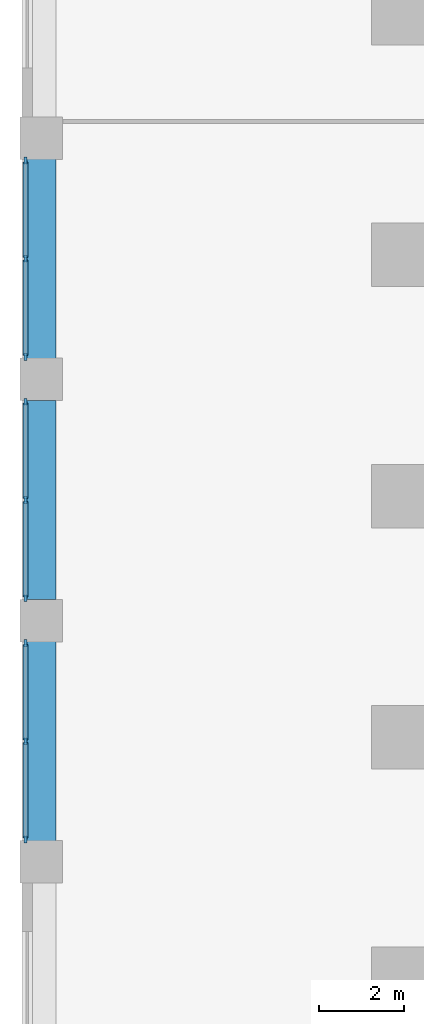
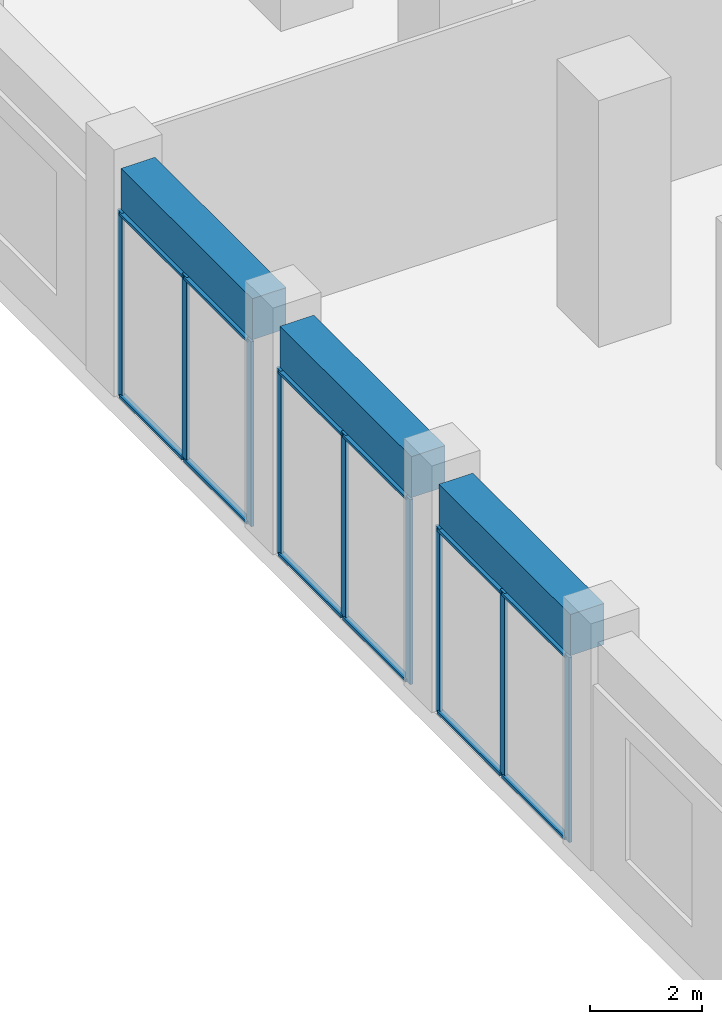
# One storey, part 6 of 23: 21 members, 3 beams, 3 elements without a shape of their own.
"""IFC4 building model written with IfcOpenShell, lengths in metres."""

from ifc_helpers import new_model, si_unit, direction, frame, origin, origin_2d, place, context, subcontext, project, spatial, rectangle, extrude, material, material_profile, profile_set, type_object, element, aggregate, save


model = new_model("IFC4")

# Units and contexts
model_context = context("Model", 3, precision=1e-05, world=origin(), true_north=direction((0.0, 1.0)))
body_context = subcontext(model_context, "Body", "Model", "MODEL_VIEW")
ifc_project = project(units=[si_unit("LENGTHUNIT", "METRE"), si_unit("AREAUNIT", "SQUARE_METRE"), si_unit("VOLUMEUNIT", "CUBIC_METRE"), si_unit("PLANEANGLEUNIT", "RADIAN"), si_unit("MASSUNIT", "GRAM", prefix="KILO")], contexts=[model_context])

# Site, building, storey
site_placement = place(None, origin())
site = spatial("IfcSite", under=ifc_project, at=site_placement, CompositionType="ELEMENT")
building_placement = place(site_placement, origin())
building = spatial("IfcBuilding", under=site, at=building_placement, Name="Meshkara Civic Tower", CompositionType="ELEMENT")
storey_placement = place(building_placement, frame((0.0, 0.0, 7.199951171875)))
storey = spatial("IfcBuildingStorey", under=building, at=storey_placement, Name="L01", CompositionType="ELEMENT", Elevation=7.199951171875)

# Curtain wall, members
ifc_material_1 = material(Name="Tinted double glazing", Category="glass")
curtain_wall_type = type_object("IfcCurtainWallType", Name="CW POOL PAVILION AND FOYER", PredefinedType="NOTDEFINED", material=ifc_material_1)
curtain_wall_1_placement = place(storey_placement, origin())
curtain_wall_1 = element("IfcCurtainWall", 1, at=curtain_wall_1_placement, inside=storey, type_object=curtain_wall_type, Name="Curtain wall CW4", PredefinedType="NOTDEFINED")
ifc_material_2 = material(Name="Bronze anodised aluminium", Category="aluminium")
ifc_material_profile_1 = material_profile(ifc_material_2, rectangle(XDim=0.06005859375, YDim=0.159912109375, at=origin_2d()))
ifc_profile_set_1 = profile_set([ifc_material_profile_1], Name="Bronze anodised aluminium")
member_type_1 = type_object("IfcMemberType", Name="CW MULLION 60x160", PredefinedType="MULLION", material=ifc_profile_set_1)
member_1_placement = place(storey_placement, frame((-8.469970703125, 65.0810546875, 0.0), z_axis=(0.0, 0.0, 1.0), x_axis=(1.0, 0.0, 0.0)))
member_1 = element("IfcMember", 2, at=member_1_placement, type_object=member_type_1, Name="CW4 mullion 1", PredefinedType="MULLION", context=body_context, shape_type="SweptSolid", body=[
    extrude(rectangle(XDim=0.06005859375, YDim=0.159912109375, at=origin_2d()), origin(), (0.0, 0.0, 1.0), 4.050048828125),
])
member_2_placement = place(storey_placement, frame((-8.469970703125, 62.760986328125, 0.0), z_axis=(0.0, 0.0, 1.0), x_axis=(1.0, 0.0, 0.0)))
member_2 = element("IfcMember", 3, at=member_2_placement, type_object=member_type_1, Name="CW4 mullion 2", PredefinedType="MULLION", context=body_context, shape_type="SweptSolid", body=[
    extrude(rectangle(XDim=0.06005859375, YDim=0.159912109375, at=origin_2d()), origin(), (0.0, 0.0, 1.0), 4.050048828125),
])
member_3_placement = place(storey_placement, frame((-8.469970703125, 60.44091796875, 0.0), z_axis=(0.0, 0.0, 1.0), x_axis=(1.0, 0.0, 0.0)))
member_3 = element("IfcMember", 4, at=member_3_placement, type_object=member_type_1, Name="CW4 mullion 3", PredefinedType="MULLION", context=body_context, shape_type="SweptSolid", body=[
    extrude(rectangle(XDim=0.06005859375, YDim=0.159912109375, at=origin_2d()), origin(), (0.0, 0.0, 1.0), 4.050048828125),
])

curtain_wall_2_placement = place(storey_placement, origin())
curtain_wall_2 = element("IfcCurtainWall", 5, at=curtain_wall_2_placement, inside=storey, type_object=curtain_wall_type, Name="Curtain wall CW4", PredefinedType="NOTDEFINED")
member_4_placement = place(storey_placement, frame((-8.469970703125, 59.381103515625, 0.0), z_axis=(0.0, 0.0, 1.0), x_axis=(1.0, 0.0, 0.0)))
member_4 = element("IfcMember", 6, at=member_4_placement, type_object=member_type_1, Name="CW4 mullion 1", PredefinedType="MULLION", context=body_context, shape_type="SweptSolid", body=[
    extrude(rectangle(XDim=0.06005859375, YDim=0.159912109375, at=origin_2d()), origin(), (0.0, 0.0, 1.0), 4.050048828125),
])
member_5_placement = place(storey_placement, frame((-8.469970703125, 57.06103515625, 0.0), z_axis=(0.0, 0.0, 1.0), x_axis=(1.0, 0.0, 0.0)))
member_5 = element("IfcMember", 7, at=member_5_placement, type_object=member_type_1, Name="CW4 mullion 2", PredefinedType="MULLION", context=body_context, shape_type="SweptSolid", body=[
    extrude(rectangle(XDim=0.06005859375, YDim=0.159912109375, at=origin_2d()), origin(), (0.0, 0.0, 1.0), 4.050048828125),
])
member_6_placement = place(storey_placement, frame((-8.469970703125, 54.740966796875, 0.0), z_axis=(0.0, 0.0, 1.0), x_axis=(1.0, 0.0, 0.0)))
member_6 = element("IfcMember", 8, at=member_6_placement, type_object=member_type_1, Name="CW4 mullion 3", PredefinedType="MULLION", context=body_context, shape_type="SweptSolid", body=[
    extrude(rectangle(XDim=0.06005859375, YDim=0.159912109375, at=origin_2d()), origin(), (0.0, 0.0, 1.0), 4.050048828125),
])

curtain_wall_3_placement = place(storey_placement, origin())
curtain_wall_3 = element("IfcCurtainWall", 9, at=curtain_wall_3_placement, inside=storey, type_object=curtain_wall_type, Name="Curtain wall CW4", PredefinedType="NOTDEFINED")
member_7_placement = place(storey_placement, frame((-8.469970703125, 53.680908203125, 0.0), z_axis=(0.0, 0.0, 1.0), x_axis=(1.0, 0.0, 0.0)))
member_7 = element("IfcMember", 10, at=member_7_placement, type_object=member_type_1, Name="CW4 mullion 1", PredefinedType="MULLION", context=body_context, shape_type="SweptSolid", body=[
    extrude(rectangle(XDim=0.06005859375, YDim=0.159912109375, at=origin_2d()), origin(), (0.0, 0.0, 1.0), 4.050048828125),
])
member_8_placement = place(storey_placement, frame((-8.469970703125, 51.361083984375, 0.0), z_axis=(0.0, 0.0, 1.0), x_axis=(1.0, 0.0, 0.0)))
member_8 = element("IfcMember", 11, at=member_8_placement, type_object=member_type_1, Name="CW4 mullion 2", PredefinedType="MULLION", context=body_context, shape_type="SweptSolid", body=[
    extrude(rectangle(XDim=0.06005859375, YDim=0.159912109375, at=origin_2d()), origin(), (0.0, 0.0, 1.0), 4.050048828125),
])
member_9_placement = place(storey_placement, frame((-8.469970703125, 49.041015625, 0.0), z_axis=(0.0, 0.0, 1.0), x_axis=(1.0, 0.0, 0.0)))
member_9 = element("IfcMember", 12, at=member_9_placement, type_object=member_type_1, Name="CW4 mullion 3", PredefinedType="MULLION", context=body_context, shape_type="SweptSolid", body=[
    extrude(rectangle(XDim=0.06005859375, YDim=0.159912109375, at=origin_2d()), origin(), (0.0, 0.0, 1.0), 4.050048828125),
])

# Member
ifc_material_3 = material(Name="Bronze anodised aluminium", Category="aluminium")
ifc_material_profile_2 = material_profile(ifc_material_3, rectangle(XDim=0.1201171875, YDim=0.06005859375, at=origin_2d()))
ifc_profile_set_2 = profile_set([ifc_material_profile_2], Name="Bronze anodised aluminium")
member_type_2 = type_object("IfcMemberType", Name="CW TRANSOM 60x120", PredefinedType="USERDEFINED", material=ifc_profile_set_2)
member_10_placement = place(storey_placement, frame((-8.469970703125, 65.051025390625, 0.030029296875), z_axis=(0.0, -1.0, 0.0), x_axis=(1.0, 0.0, 0.0)))
member_10 = element("IfcMember", 13, at=member_10_placement, type_object=member_type_2, Name="CW4 transom 1.1", ObjectType="TRANSOM", PredefinedType="USERDEFINED", context=body_context, shape_type="SweptSolid", body=[
    extrude(rectangle(XDim=0.1201171875, YDim=0.06005859375, at=origin_2d()), origin(), (0.0, 0.0, 1.0), 2.260009765625),
])

member_11_placement = place(storey_placement, frame((-8.469970703125, 65.051025390625, 4.02001953125), z_axis=(0.0, -1.0, 0.0), x_axis=(1.0, 0.0, 0.0)))
member_11 = element("IfcMember", 14, at=member_11_placement, type_object=member_type_2, Name="CW4 transom 1.2", ObjectType="TRANSOM", PredefinedType="USERDEFINED", context=body_context, shape_type="SweptSolid", body=[
    extrude(rectangle(XDim=0.1201171875, YDim=0.06005859375, at=origin_2d()), origin(), (0.0, 0.0, 1.0), 2.260009765625),
])

member_12_placement = place(storey_placement, frame((-8.469970703125, 62.73095703125, 0.030029296875), z_axis=(0.0, -1.0, 0.0), x_axis=(1.0, 0.0, 0.0)))
member_12 = element("IfcMember", 15, at=member_12_placement, type_object=member_type_2, Name="CW4 transom 2.1", ObjectType="TRANSOM", PredefinedType="USERDEFINED", context=body_context, shape_type="SweptSolid", body=[
    extrude(rectangle(XDim=0.1201171875, YDim=0.06005859375, at=origin_2d()), origin(), (0.0, 0.0, 1.0), 2.260009765625),
])

member_13_placement = place(storey_placement, frame((-8.469970703125, 62.73095703125, 4.02001953125), z_axis=(0.0, -1.0, 0.0), x_axis=(1.0, 0.0, 0.0)))
member_13 = element("IfcMember", 16, at=member_13_placement, type_object=member_type_2, Name="CW4 transom 2.2", ObjectType="TRANSOM", PredefinedType="USERDEFINED", context=body_context, shape_type="SweptSolid", body=[
    extrude(rectangle(XDim=0.1201171875, YDim=0.06005859375, at=origin_2d()), origin(), (0.0, 0.0, 1.0), 2.260009765625),
])

aggregate(curtain_wall_1, [member_1, member_2, member_3, member_10, member_11, member_12, member_13])

member_14_placement = place(storey_placement, frame((-8.469970703125, 59.35107421875, 0.030029296875), z_axis=(0.0, -1.0, 0.0), x_axis=(1.0, 0.0, 0.0)))
member_14 = element("IfcMember", 17, at=member_14_placement, type_object=member_type_2, Name="CW4 transom 1.1", ObjectType="TRANSOM", PredefinedType="USERDEFINED", context=body_context, shape_type="SweptSolid", body=[
    extrude(rectangle(XDim=0.1201171875, YDim=0.06005859375, at=origin_2d()), origin(), (0.0, 0.0, 1.0), 2.260009765625),
])

member_15_placement = place(storey_placement, frame((-8.469970703125, 59.35107421875, 4.02001953125), z_axis=(0.0, -1.0, 0.0), x_axis=(1.0, 0.0, 0.0)))
member_15 = element("IfcMember", 18, at=member_15_placement, type_object=member_type_2, Name="CW4 transom 1.2", ObjectType="TRANSOM", PredefinedType="USERDEFINED", context=body_context, shape_type="SweptSolid", body=[
    extrude(rectangle(XDim=0.1201171875, YDim=0.06005859375, at=origin_2d()), origin(), (0.0, 0.0, 1.0), 2.260009765625),
])

member_16_placement = place(storey_placement, frame((-8.469970703125, 57.031005859375, 0.030029296875), z_axis=(0.0, -1.0, 0.0), x_axis=(1.0, 0.0, 0.0)))
member_16 = element("IfcMember", 19, at=member_16_placement, type_object=member_type_2, Name="CW4 transom 2.1", ObjectType="TRANSOM", PredefinedType="USERDEFINED", context=body_context, shape_type="SweptSolid", body=[
    extrude(rectangle(XDim=0.1201171875, YDim=0.06005859375, at=origin_2d()), origin(), (0.0, 0.0, 1.0), 2.260009765625),
])

member_17_placement = place(storey_placement, frame((-8.469970703125, 57.031005859375, 4.02001953125), z_axis=(0.0, -1.0, 0.0), x_axis=(1.0, 0.0, 0.0)))
member_17 = element("IfcMember", 20, at=member_17_placement, type_object=member_type_2, Name="CW4 transom 2.2", ObjectType="TRANSOM", PredefinedType="USERDEFINED", context=body_context, shape_type="SweptSolid", body=[
    extrude(rectangle(XDim=0.1201171875, YDim=0.06005859375, at=origin_2d()), origin(), (0.0, 0.0, 1.0), 2.260009765625),
])

aggregate(curtain_wall_2, [member_4, member_5, member_6, member_14, member_15, member_16, member_17])

member_18_placement = place(storey_placement, frame((-8.469970703125, 53.65087890625, 0.030029296875), z_axis=(0.0, -1.0, 0.0), x_axis=(1.0, 0.0, 0.0)))
member_18 = element("IfcMember", 21, at=member_18_placement, type_object=member_type_2, Name="CW4 transom 1.1", ObjectType="TRANSOM", PredefinedType="USERDEFINED", context=body_context, shape_type="SweptSolid", body=[
    extrude(rectangle(XDim=0.1201171875, YDim=0.06005859375, at=origin_2d()), origin(), (0.0, 0.0, 1.0), 2.259765625),
])

member_19_placement = place(storey_placement, frame((-8.469970703125, 53.65087890625, 4.02001953125), z_axis=(0.0, -1.0, 0.0), x_axis=(1.0, 0.0, 0.0)))
member_19 = element("IfcMember", 22, at=member_19_placement, type_object=member_type_2, Name="CW4 transom 1.2", ObjectType="TRANSOM", PredefinedType="USERDEFINED", context=body_context, shape_type="SweptSolid", body=[
    extrude(rectangle(XDim=0.1201171875, YDim=0.06005859375, at=origin_2d()), origin(), (0.0, 0.0, 1.0), 2.259765625),
])

member_20_placement = place(storey_placement, frame((-8.469970703125, 51.3310546875, 0.030029296875), z_axis=(0.0, -1.0, 0.0), x_axis=(1.0, 0.0, 0.0)))
member_20 = element("IfcMember", 23, at=member_20_placement, type_object=member_type_2, Name="CW4 transom 2.1", ObjectType="TRANSOM", PredefinedType="USERDEFINED", context=body_context, shape_type="SweptSolid", body=[
    extrude(rectangle(XDim=0.1201171875, YDim=0.06005859375, at=origin_2d()), origin(), (0.0, 0.0, 1.0), 2.260009765625),
])

member_21_placement = place(storey_placement, frame((-8.469970703125, 51.3310546875, 4.02001953125), z_axis=(0.0, -1.0, 0.0), x_axis=(1.0, 0.0, 0.0)))
member_21 = element("IfcMember", 24, at=member_21_placement, type_object=member_type_2, Name="CW4 transom 2.2", ObjectType="TRANSOM", PredefinedType="USERDEFINED", context=body_context, shape_type="SweptSolid", body=[
    extrude(rectangle(XDim=0.1201171875, YDim=0.06005859375, at=origin_2d()), origin(), (0.0, 0.0, 1.0), 2.260009765625),
])

aggregate(curtain_wall_3, [member_7, member_8, member_9, member_18, member_19, member_20, member_21])

# Beams
ifc_material_4 = material(Name="Concrete C60", Category="concrete")
ifc_material_profile_3 = material_profile(ifc_material_4, rectangle(XDim=0.699951171875, YDim=0.89990234375, at=origin_2d()))
ifc_profile_set_3 = profile_set([ifc_material_profile_3], Name="Concrete C60")
beam_type = type_object("IfcBeamType", Name="Spandrel beam RC 700x900 C60", PredefinedType="BEAM", material=ifc_profile_set_3)
for number, where, z_axis, x_axis, name in (
    (25, (-8.10009765625, 65.115966796875, 4.5), (0.0, -1.0, 0.0), (1.0, 0.0, 0.0), "Spandrel beam PD02-08-PD02-09"),
    (26, (-8.10009765625, 59.416015625, 4.5), (0.0, -1.0, 0.0), (1.0, 0.0, 0.0), "Spandrel beam PD02-07-PD02-08"),
    (27, (-8.10009765625, 53.716064453125, 4.5), (0.0, -1.0, 0.0), (1.0, 0.0, 0.0), "Spandrel beam PD02-06-PD02-07"),
):
    element("IfcBeam", number, at=place(storey_placement, frame(where, z_axis=z_axis, x_axis=x_axis)), inside=storey, type_object=beam_type, Name=name, PredefinedType="BEAM", context=body_context, shape_type="SweptSolid", body=[
        extrude(rectangle(XDim=0.699951171875, YDim=0.89990234375, at=origin_2d()), origin(), (0.0, 0.0, 1.0), 4.7099609375),
    ])

save(model, "model.ifc")
